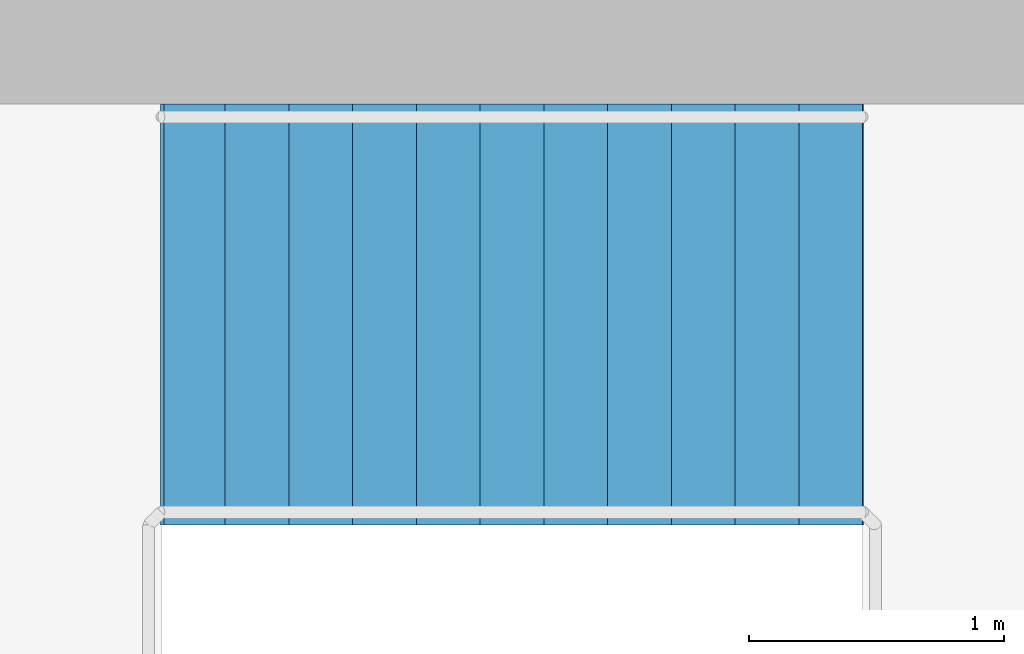
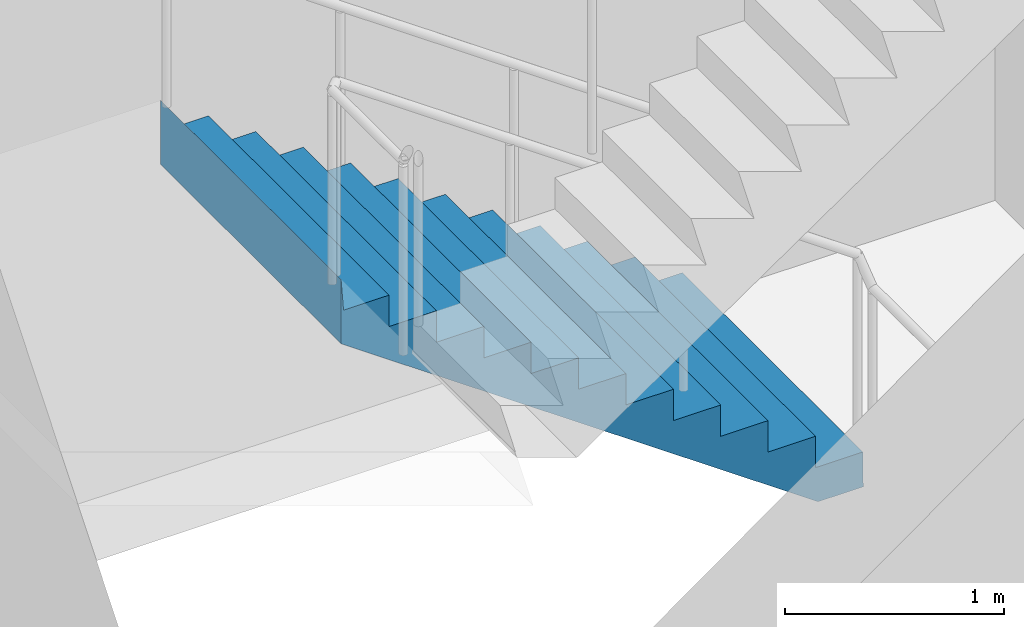
# One storey, part 20 of 21: 1 stair flight, 1 element without a shape of its own.
"""IFC4 building model written with IfcOpenShell, lengths in metres."""

from ifc_helpers import new_model, si_unit, direction, frame, origin, place, context, subcontext, project, spatial, triangles, material, type_object, element, aggregate, save


model = new_model("IFC4")

# Units and contexts
model_context = context("Model", 3, precision=1e-05, world=origin(), true_north=direction((0.0, 1.0)))
body_context = subcontext(model_context, "Body", "Model", "MODEL_VIEW")
ifc_project = project(units=[si_unit("LENGTHUNIT", "METRE"), si_unit("AREAUNIT", "SQUARE_METRE"), si_unit("VOLUMEUNIT", "CUBIC_METRE"), si_unit("PLANEANGLEUNIT", "RADIAN"), si_unit("MASSUNIT", "GRAM", prefix="KILO")], contexts=[model_context])

# Site, building, storey
site_placement = place(None, origin())
site = spatial("IfcSite", under=ifc_project, at=site_placement, CompositionType="ELEMENT")
building_placement = place(site_placement, origin())
building = spatial("IfcBuilding", under=site, at=building_placement, Name="Maasbend Ring Residences", CompositionType="ELEMENT")
storey_placement = place(building_placement, frame((0.0, 0.0, 107.449951171875)))
storey = spatial("IfcBuildingStorey", under=building, at=storey_placement, Name="L30", CompositionType="ELEMENT", Elevation=107.449951171875)

# Stair, stair flight
ifc_material_1 = material(Name="Concrete C40/50", Category="concrete")
stair_type = type_object("IfcStairType", Name="CORE STAIR 24 RISERS", PredefinedType="HALF_TURN_STAIR", material=ifc_material_1)
stair_placement = place(storey_placement, origin())
stair = element("IfcStair", 1, at=stair_placement, inside=storey, type_object=stair_type, Name="L30 Exit stair ST-E1", PredefinedType="HALF_TURN_STAIR")
ifc_material_2 = material(Name="Concrete C40/50", Category="concrete")
stair_flight_type = type_object("IfcStairFlightType", Name="CORE STAIR FLIGHT 1650", PredefinedType="STRAIGHT", material=ifc_material_2)
stair_flight_placement = place(storey_placement, frame((13.550048828125, 7.77490234375, 0.0), z_axis=(0.0, 0.0, 1.0), x_axis=(-1.0, 0.0, 0.0)))
stair_flight = element("IfcStairFlight", 2, at=stair_flight_placement, type_object=stair_flight_type, Name="ST-E1 flight 1", NumberOfRisers=12, NumberOfTreads=11, PredefinedType="STRAIGHT", RiserHeight=0.175, TreadLength=0.25, context=body_context, shape_type="Tessellation", body=[
    triangles([(0.23583984375, 0.824951171875, -0.02001953125), (2.7529296875, 0.824951171875, 1.741943359375), (2.7529296875, 0.824951171875, 2.10009765625), (2.739990234375, 0.824951171875, 1.925048828125), (2.5, 0.824951171875, 1.925048828125), (2.5, 0.824951171875, 1.75), (2.25, 0.824951171875, 1.75), (2.25, 0.824951171875, 1.574951171875), (2.0, 0.824951171875, 1.574951171875), (2.0, 0.824951171875, 1.39990234375), (1.75, 0.824951171875, 1.39990234375), (1.75, 0.824951171875, 1.22509765625), (1.5, 0.824951171875, 1.22509765625), (1.5, 0.824951171875, 1.050048828125), (1.25, 0.824951171875, 1.050048828125), (1.25, 0.824951171875, 0.875), (1.0, 0.824951171875, 0.875), (1.0, 0.824951171875, 0.699951171875), (0.75, 0.824951171875, 0.699951171875), (0.75, 0.824951171875, 0.52490234375), (0.5, 0.824951171875, 0.52490234375), (0.5, 0.824951171875, 0.35009765625), (0.25, 0.824951171875, 0.35009765625), (0.25, 0.824951171875, 0.175048828125), (0.0, 0.824951171875, 0.175048828125), (0.0, 0.824951171875, 0.0), (-0.0029296875, 0.824951171875, 0.0), (-0.0029296875, 0.824951171875, -0.02001953125), (0.23583984375, -0.824951171875, -0.02001953125), (2.7529296875, -0.824951171875, 1.741943359375), (2.7529296875, -0.824951171875, 2.10009765625), (2.739990234375, -0.824951171875, 1.925048828125), (2.5, -0.824951171875, 1.925048828125), (2.5, -0.824951171875, 1.75), (2.25, -0.824951171875, 1.75), (2.25, -0.824951171875, 1.574951171875), (2.0, -0.824951171875, 1.574951171875), (2.0, -0.824951171875, 1.39990234375), (1.75, -0.824951171875, 1.39990234375), (1.75, -0.824951171875, 1.22509765625), (1.5, -0.824951171875, 1.22509765625), (1.5, -0.824951171875, 1.050048828125), (1.25, -0.824951171875, 1.050048828125), (1.25, -0.824951171875, 0.875), (1.0, -0.824951171875, 0.875), (1.0, -0.824951171875, 0.699951171875), (0.75, -0.824951171875, 0.699951171875), (0.75, -0.824951171875, 0.52490234375), (0.5, -0.824951171875, 0.52490234375), (0.5, -0.824951171875, 0.35009765625), (0.25, -0.824951171875, 0.35009765625), (0.25, -0.824951171875, 0.175048828125), (0.0, -0.824951171875, 0.175048828125), (0.0, -0.824951171875, 0.0), (-0.0029296875, -0.824951171875, 0.0), (-0.0029296875, -0.824951171875, -0.02001953125)], [[1, 2, 30], [1, 30, 29], [2, 3, 31], [2, 31, 30], [3, 4, 32], [3, 32, 31], [4, 5, 33], [4, 33, 32], [5, 6, 34], [5, 34, 33], [6, 7, 35], [6, 35, 34], [7, 8, 36], [7, 36, 35], [8, 9, 37], [8, 37, 36], [9, 10, 38], [9, 38, 37], [10, 11, 39], [10, 39, 38], [11, 12, 40], [11, 40, 39], [12, 13, 41], [12, 41, 40], [13, 14, 42], [13, 42, 41], [14, 15, 43], [14, 43, 42], [15, 16, 44], [15, 44, 43], [16, 17, 45], [16, 45, 44], [17, 18, 46], [17, 46, 45], [18, 19, 47], [18, 47, 46], [19, 20, 48], [19, 48, 47], [20, 21, 49], [20, 49, 48], [21, 22, 50], [21, 50, 49], [22, 23, 51], [22, 51, 50], [23, 24, 52], [23, 52, 51], [24, 25, 53], [24, 53, 52], [25, 26, 54], [25, 54, 53], [26, 27, 55], [26, 55, 54], [27, 28, 56], [27, 56, 55], [28, 1, 29], [28, 29, 56], [28, 2, 1], [2, 4, 3], [2, 5, 4], [2, 6, 5], [28, 6, 2], [6, 8, 7], [28, 8, 6], [8, 10, 9], [28, 10, 8], [10, 12, 11], [28, 12, 10], [12, 14, 13], [28, 14, 12], [14, 16, 15], [28, 16, 14], [16, 18, 17], [28, 18, 16], [18, 20, 19], [28, 20, 18], [20, 22, 21], [28, 22, 20], [22, 24, 23], [28, 24, 22], [24, 26, 25], [28, 26, 24], [26, 28, 27], [56, 29, 30], [30, 31, 32], [30, 32, 33], [30, 33, 34], [56, 30, 34], [34, 35, 36], [56, 34, 36], [36, 37, 38], [56, 36, 38], [38, 39, 40], [56, 38, 40], [40, 41, 42], [56, 40, 42], [42, 43, 44], [56, 42, 44], [44, 45, 46], [56, 44, 46], [46, 47, 48], [56, 46, 48], [48, 49, 50], [56, 48, 50], [50, 51, 52], [56, 50, 52], [52, 53, 54], [56, 52, 54], [54, 55, 56]], closed=True),
])
aggregate(stair, [stair_flight])

save(model, "model.ifc")
